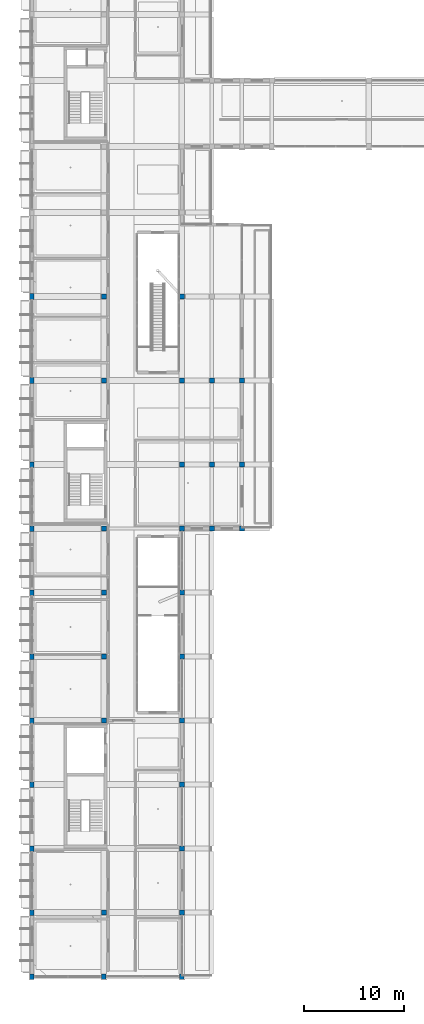
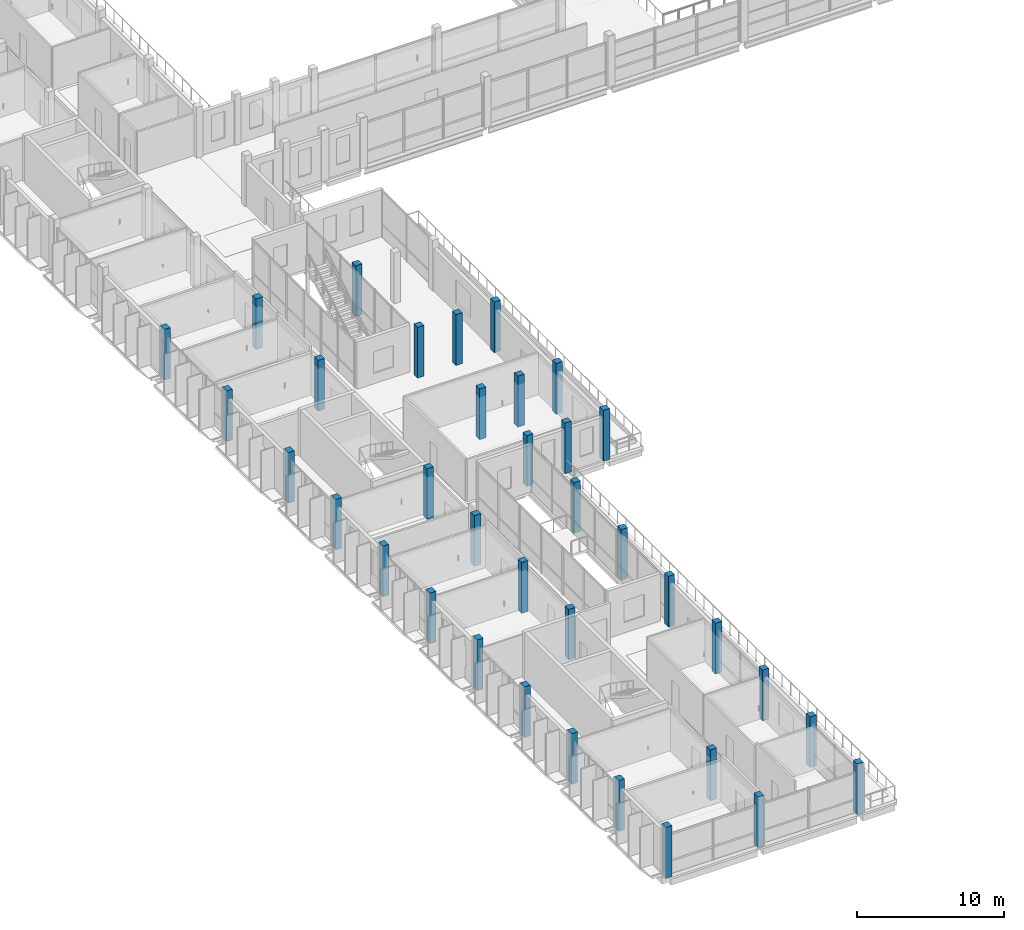
# One storey, part 1 of 85: 36 columns.
"""IFC4 building model written with IfcOpenShell, lengths in metres."""

from ifc_helpers import new_model, si_unit, derived_unit, direction, frame, origin, origin_2d, place, context, subcontext, project, spatial, rectangle, extrude, material, material_profile, profile_set, type_object, element, save


model = new_model("IFC4")

# Units and contexts
model_context = context("Model", 3, precision=1e-05, world=origin(), true_north=direction((0.0, 1.0)))
body_context = subcontext(model_context, "Body", "Model", "MODEL_VIEW")
ifc_project = project(units=[si_unit("LENGTHUNIT", "METRE"), si_unit("AREAUNIT", "SQUARE_METRE"), si_unit("VOLUMEUNIT", "CUBIC_METRE"), si_unit("PLANEANGLEUNIT", "RADIAN"), si_unit("MASSUNIT", "GRAM", prefix="KILO"), derived_unit("THERMALTRANSMITTANCEUNIT", [(si_unit("POWERUNIT", "WATT"), 1), (si_unit("LENGTHUNIT", "METRE"), -2), (si_unit("THERMODYNAMICTEMPERATUREUNIT", "KELVIN"), -1)])], contexts=[model_context])

# Site, building, storey
site_placement = place(None, origin())
site = spatial("IfcSite", under=ifc_project, at=site_placement, CompositionType="ELEMENT")
building_placement = place(site_placement, origin())
building = spatial("IfcBuilding", under=site, at=building_placement, Name="Braskholm Square Health Centre", CompositionType="ELEMENT")
storey_placement = place(building_placement, frame((0.0, 0.0, 9.300048828125)))
storey = spatial("IfcBuildingStorey", under=building, at=storey_placement, Name="L03", CompositionType="ELEMENT", Elevation=9.300048828125)

# Columns
ifc_material_1 = material(Name="Concrete C40/50 (f'c = 40 MPa)", Category="concrete")
ifc_material_profile_1 = material_profile(ifc_material_1, rectangle(XDim=0.5, YDim=0.5, at=origin_2d()), Name="RC-500X500")
ifc_profile_set_1 = profile_set([ifc_material_profile_1], Name="Concrete C40/50 (f'c = 40 MPa)")
column_type_1 = type_object("IfcColumnType", Name="ColInteriorUpper500", PredefinedType="COLUMN", material=ifc_profile_set_1)
for number, where, z_axis, x_axis, name in (
    (1, (11.39990234375, 10.60009765625, 0.0), (0.0, 0.0, 1.0), (1.0, 0.0, 0.0), "Column 2/B L03"),
    (2, (11.39990234375, 29.800048828125, 0.0), (0.0, 0.0, 1.0), (1.0, 0.0, 0.0), "Column 2/E L03"),
    (3, (11.39990234375, 36.199951171875, 0.0), (0.0, 0.0, 1.0), (1.0, 0.0, 0.0), "Column 2/F L03"),
    (4, (11.39990234375, 42.60009765625, 0.0), (0.0, 0.0, 1.0), (1.0, 0.0, 0.0), "Column 2/G L03"),
    (5, (11.39990234375, 49.0, 0.0), (0.0, 0.0, 1.0), (1.0, 0.0, 0.0), "Column 2/H L03"),
    (6, (11.39990234375, 63.800048828125, 0.0), (0.0, 0.0, 1.0), (1.0, 0.0, 0.0), "Column 2/K L03"),
    (7, (11.39990234375, 72.199951171875, 0.0), (0.0, 0.0, 1.0), (1.0, 0.0, 0.0), "Column 2/L L03"),
    (8, (19.199951171875, 10.60009765625, 0.0), (0.0, 0.0, 1.0), (1.0, 0.0, 0.0), "Column 3/B L03"),
    (9, (19.199951171875, 17.0, 0.0), (0.0, 0.0, 1.0), (1.0, 0.0, 0.0), "Column 3/C L03"),
    (10, (19.199951171875, 23.39990234375, 0.0), (0.0, 0.0, 1.0), (1.0, 0.0, 0.0), "Column 3/D L03"),
    (11, (19.199951171875, 29.800048828125, 0.0), (0.0, 0.0, 1.0), (1.0, 0.0, 0.0), "Column 3/E L03"),
    (12, (19.199951171875, 36.199951171875, 0.0), (0.0, 0.0, 1.0), (1.0, 0.0, 0.0), "Column 3/F L03"),
    (13, (19.199951171875, 42.60009765625, 0.0), (0.0, 0.0, 1.0), (1.0, 0.0, 0.0), "Column 3/G L03"),
    (14, (19.199951171875, 49.0, 0.0), (0.0, 0.0, 1.0), (1.0, 0.0, 0.0), "Column 3/H L03"),
    (15, (19.199951171875, 55.39990234375, 0.0), (0.0, 0.0, 1.0), (1.0, 0.0, 0.0), "Column 3/J L03"),
    (16, (19.199951171875, 63.800048828125, 0.0), (0.0, 0.0, 1.0), (1.0, 0.0, 0.0), "Column 3/K L03"),
    (17, (19.199951171875, 72.199951171875, 0.0), (0.0, 0.0, 1.0), (1.0, 0.0, 0.0), "Column 3/L L03"),
    (18, (22.199951171875, 49.0, 0.0), (0.0, 0.0, 1.0), (1.0, 0.0, 0.0), "Column 4/H L03"),
    (19, (22.199951171875, 55.39990234375, 0.0), (0.0, 0.0, 1.0), (1.0, 0.0, 0.0), "Column 4/J L03"),
    (20, (22.199951171875, 63.800048828125, 0.0), (0.0, 0.0, 1.0), (1.0, 0.0, 0.0), "Column 4/K L03"),
    (21, (25.199951171875, 49.0, 0.0), (0.0, 0.0, 1.0), (1.0, 0.0, 0.0), "Column 5/H L03"),
    (22, (25.199951171875, 55.39990234375, 0.0), (0.0, 0.0, 1.0), (1.0, 0.0, 0.0), "Column 5/J L03"),
    (23, (25.199951171875, 63.800048828125, 0.0), (0.0, 0.0, 1.0), (1.0, 0.0, 0.0), "Column 5/K L03"),
):
    element("IfcColumn", number, at=place(storey_placement, frame(where, z_axis=z_axis, x_axis=x_axis)), inside=storey, type_object=column_type_1, Name=name, PredefinedType="COLUMN", context=body_context, shape_type="SweptSolid", body=[
        extrude(rectangle(XDim=0.5, YDim=0.5, at=origin_2d()), origin(), (0.0, 0.0, 1.0), 4.199951171875),
    ])
ifc_material_2 = material(Name="Precast concrete C40/50 architectural white", Category="concrete")
ifc_material_profile_2 = material_profile(ifc_material_2, rectangle(XDim=0.4599609375, YDim=0.56005859375, at=origin_2d()), Name="RC-460X560")
ifc_profile_set_2 = profile_set([ifc_material_profile_2], Name="Precast concrete C40/50 architectural white")
column_type_2 = type_object("IfcColumnType", Name="ColPrecastFrame460x560", PredefinedType="COLUMN", material=ifc_profile_set_2)
for number, where, z_axis, x_axis, name in (
    (24, (4.199951171875, 4.199951171875, 0.0), (0.0, 0.0, 1.0), (1.0, 0.0, 0.0), "Column 1/A L03"),
    (25, (4.199951171875, 10.60009765625, 0.0), (0.0, 0.0, 1.0), (1.0, 0.0, 0.0), "Column 1/B L03"),
    (26, (4.199951171875, 17.0, 0.0), (0.0, 0.0, 1.0), (1.0, 0.0, 0.0), "Column 1/C L03"),
    (27, (4.199951171875, 23.39990234375, 0.0), (0.0, 0.0, 1.0), (1.0, 0.0, 0.0), "Column 1/D L03"),
    (28, (4.199951171875, 29.800048828125, 0.0), (0.0, 0.0, 1.0), (1.0, 0.0, 0.0), "Column 1/E L03"),
    (29, (4.199951171875, 36.199951171875, 0.0), (0.0, 0.0, 1.0), (1.0, 0.0, 0.0), "Column 1/F L03"),
    (30, (4.199951171875, 42.60009765625, 0.0), (0.0, 0.0, 1.0), (1.0, 0.0, 0.0), "Column 1/G L03"),
    (31, (4.199951171875, 49.0, 0.0), (0.0, 0.0, 1.0), (1.0, 0.0, 0.0), "Column 1/H L03"),
    (32, (4.199951171875, 55.39990234375, 0.0), (0.0, 0.0, 1.0), (1.0, 0.0, 0.0), "Column 1/J L03"),
    (33, (4.199951171875, 63.800048828125, 0.0), (0.0, 0.0, 1.0), (1.0, 0.0, 0.0), "Column 1/K L03"),
    (34, (4.199951171875, 72.199951171875, 0.0), (0.0, 0.0, 1.0), (1.0, 0.0, 0.0), "Column 1/L L03"),
    (35, (11.39990234375, 4.199951171875, 0.0), (0.0, 0.0, 1.0), (1.0, 0.0, 0.0), "Column 2/A L03"),
    (36, (19.199951171875, 4.199951171875, 0.0), (0.0, 0.0, 1.0), (1.0, 0.0, 0.0), "Column 3/A L03"),
):
    element("IfcColumn", number, at=place(storey_placement, frame(where, z_axis=z_axis, x_axis=x_axis)), inside=storey, type_object=column_type_2, Name=name, PredefinedType="COLUMN", context=body_context, shape_type="SweptSolid", body=[
        extrude(rectangle(XDim=0.4599609375, YDim=0.56005859375, at=origin_2d()), origin(), (0.0, 0.0, 1.0), 4.199951171875),
    ])

save(model, "model.ifc")
